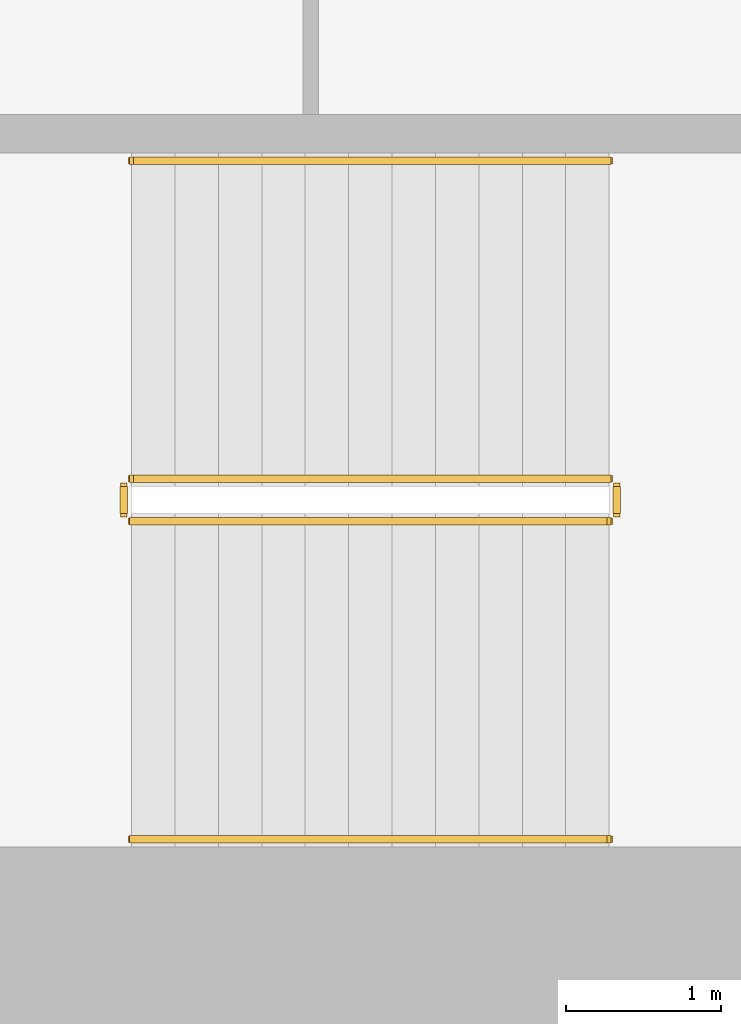
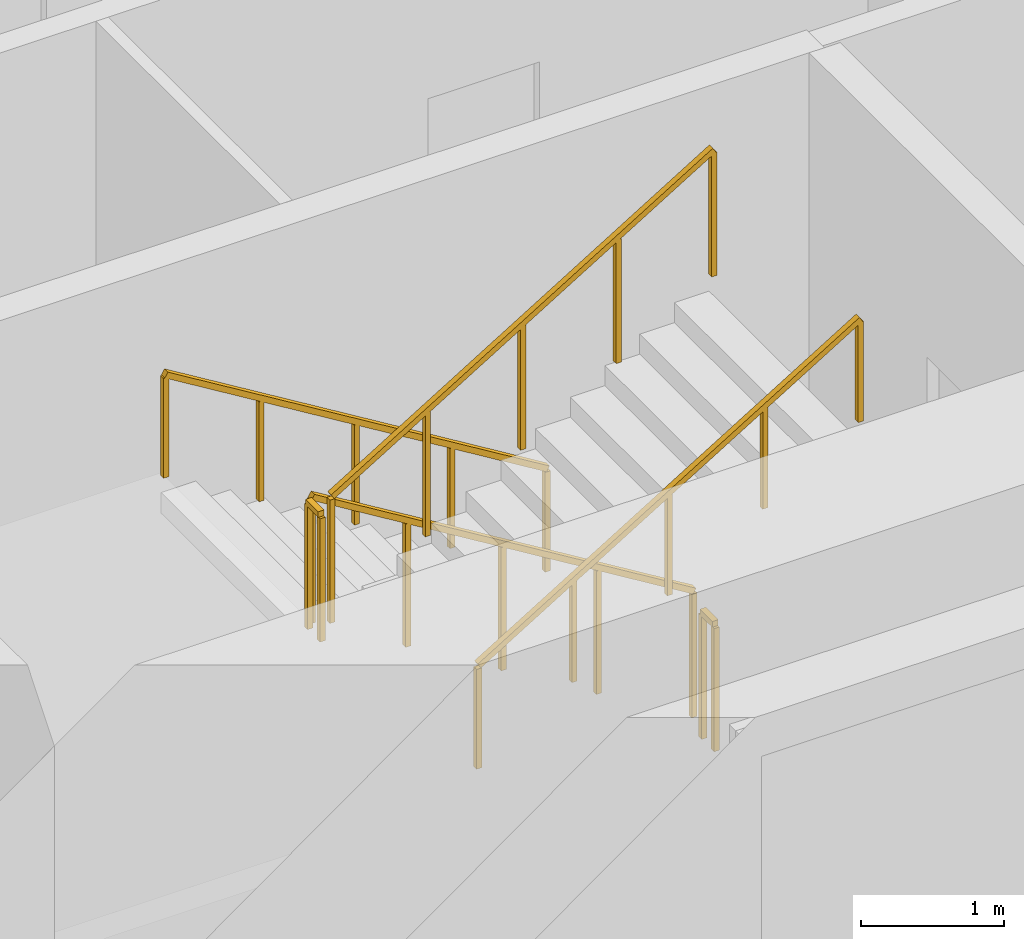
# One storey, part 11 of 16: 6 railings.
"""IFC4 building model written with IfcOpenShell, lengths in metres."""

from ifc_helpers import new_model, si_unit, direction, frame, origin, origin_2d, place, context, subcontext, project, spatial, rectangle, extrude, material, type_object, element, save


model = new_model("IFC4")

# Units and contexts
model_context = context("Model", 3, precision=1e-05, world=origin(), true_north=direction((0.0, 1.0)))
body_context = subcontext(model_context, "Body", "Model", "MODEL_VIEW")
ifc_project = project(units=[si_unit("LENGTHUNIT", "METRE"), si_unit("AREAUNIT", "SQUARE_METRE"), si_unit("VOLUMEUNIT", "CUBIC_METRE"), si_unit("PLANEANGLEUNIT", "RADIAN"), si_unit("MASSUNIT", "GRAM", prefix="KILO")], contexts=[model_context])

# Site, building, storey
site_placement = place(None, origin())
site = spatial("IfcSite", under=ifc_project, at=site_placement, CompositionType="ELEMENT")
building_placement = place(site_placement, origin())
building = spatial("IfcBuilding", under=site, at=building_placement, Name="Cypress Arch Tower", CompositionType="ELEMENT")
storey_placement = place(building_placement, frame((0.0, 0.0, 230.199951171875)))
storey = spatial("IfcBuildingStorey", under=building, at=storey_placement, Name="L51", CompositionType="ELEMENT", Elevation=230.199951171875)

# Railings
ifc_material_1 = material(Name="Black powder-coated steel square bar 48 mm", Category="steel")
railing_type_1 = type_object("IfcRailingType", Name="Stair handrail HR1", PredefinedType="HANDRAIL", material=ifc_material_1)
railing_1_placement = place(storey_placement, frame((-22.27490234375, -10.375, 0.1708984375)))
element("IfcRailing", 1, at=railing_1_placement, inside=storey, type_object=railing_type_1, Name="L51 A stair handrail 1", PredefinedType="HANDRAIL", context=body_context, shape_type="SweptSolid", body=[
    extrude(rectangle(XDim=0.048095703125, YDim=0.048095703125, at=origin_2d()), frame((0.0, 0.0, 0.8759765625), z_axis=(-0.853666305674, 0.0, 0.52082035152), x_axis=(0.0, -1.0, 0.0)), (0.0, 0.0, 1.0), 3.608154296875),
    extrude(rectangle(XDim=0.0419921875, YDim=0.0419921875, at=origin_2d()), origin(), (0.0, 0.0, 1.0), 0.851806640625),
    extrude(rectangle(XDim=0.0419921875, YDim=0.0419921875, at=origin_2d()), frame((-0.77001953125, 0.0, 0.4697265625)), (0.0, 0.0, 1.0), 0.851806640625),
    extrude(rectangle(XDim=0.0419921875, YDim=0.0419921875, at=origin_2d()), frame((-1.5400390625, 0.0, 0.939453125)), (0.0, 0.0, 1.0), 0.851806640625),
    extrude(rectangle(XDim=0.0419921875, YDim=0.0419921875, at=origin_2d()), frame((-2.31005859375, 0.0, 1.409423828125)), (0.0, 0.0, 1.0), 0.851806640625),
    extrude(rectangle(XDim=0.0419921875, YDim=0.0419921875, at=origin_2d()), frame((-3.080078125, 0.0, 1.879150390625)), (0.0, 0.0, 1.0), 0.851806640625),
])
railing_2_placement = place(storey_placement, frame((-25.35498046875, -14.75, 2.220947265625)))
element("IfcRailing", 2, at=railing_2_placement, inside=storey, type_object=railing_type_1, Name="L51 A stair handrail 2", PredefinedType="HANDRAIL", context=body_context, shape_type="SweptSolid", body=[
    extrude(rectangle(XDim=0.048095703125, YDim=0.048095703125, at=origin_2d()), frame((0.0, 0.0, 0.8759765625), z_axis=(0.853666305674, 0.0, 0.52082035152), x_axis=(0.0, 1.0, 0.0)), (0.0, 0.0, 1.0), 3.608154296875),
    extrude(rectangle(XDim=0.0419921875, YDim=0.0419921875, at=origin_2d()), origin(), (0.0, 0.0, 1.0), 0.851806640625),
    extrude(rectangle(XDim=0.0419921875, YDim=0.0419921875, at=origin_2d()), frame((0.77001953125, 0.0, 0.4697265625)), (0.0, 0.0, 1.0), 0.851806640625),
    extrude(rectangle(XDim=0.0419921875, YDim=0.0419921875, at=origin_2d()), frame((1.5400390625, 0.0, 0.939453125)), (0.0, 0.0, 1.0), 0.851806640625),
    extrude(rectangle(XDim=0.0419921875, YDim=0.0419921875, at=origin_2d()), frame((2.31005859375, 0.0, 1.409423828125)), (0.0, 0.0, 1.0), 0.851806640625),
    extrude(rectangle(XDim=0.0419921875, YDim=0.0419921875, at=origin_2d()), frame((3.080078125, 0.0, 1.879150390625)), (0.0, 0.0, 1.0), 0.851806640625),
])
ifc_material_2 = material(Name="Black powder-coated steel balusters", Category="steel")
railing_type_2 = type_object("IfcRailingType", Name="Stair well guard G1", PredefinedType="GUARDRAIL", material=ifc_material_2)
railing_3_placement = place(storey_placement, frame((-22.27490234375, -12.425048828125, 0.1708984375)))
element("IfcRailing", 3, at=railing_3_placement, inside=storey, type_object=railing_type_2, Name="L51 A stair guard 1", PredefinedType="GUARDRAIL", context=body_context, shape_type="SweptSolid", body=[
    extrude(rectangle(XDim=0.048095703125, YDim=0.048095703125, at=origin_2d()), frame((0.0, 0.0, 1.076171875), z_axis=(-0.853666305674, 0.0, 0.52082035152), x_axis=(0.0, -1.0, 0.0)), (0.0, 0.0, 1.0), 3.608154296875),
    extrude(rectangle(XDim=0.0419921875, YDim=0.0419921875, at=origin_2d()), origin(), (0.0, 0.0, 1.0), 1.052001953125),
    extrude(rectangle(XDim=0.0419921875, YDim=0.0419921875, at=origin_2d()), frame((-0.77001953125, 0.0, 0.4697265625)), (0.0, 0.0, 1.0), 1.052001953125),
    extrude(rectangle(XDim=0.0419921875, YDim=0.0419921875, at=origin_2d()), frame((-1.5400390625, 0.0, 0.939453125)), (0.0, 0.0, 1.0), 1.052001953125),
    extrude(rectangle(XDim=0.0419921875, YDim=0.0419921875, at=origin_2d()), frame((-2.31005859375, 0.0, 1.409423828125)), (0.0, 0.0, 1.0), 1.052001953125),
    extrude(rectangle(XDim=0.0419921875, YDim=0.0419921875, at=origin_2d()), frame((-3.080078125, 0.0, 1.879150390625)), (0.0, 0.0, 1.0), 1.052001953125),
])
railing_4_placement = place(storey_placement, frame((-25.405029296875, -12.47509765625, 2.050048828125)))
element("IfcRailing", 4, at=railing_4_placement, inside=storey, type_object=railing_type_2, Name="L51 A stair guard 2", PredefinedType="GUARDRAIL", context=body_context, shape_type="SweptSolid", body=[
    extrude(rectangle(XDim=0.048095703125, YDim=0.048095703125, at=origin_2d()), frame((0.0, 0.0, 1.076171875), z_axis=(0.0, -1.0, 0.0), x_axis=(1.0, 0.0, 0.0)), (0.0, 0.0, 1.0), 0.1748046875),
    extrude(rectangle(XDim=0.0419921875, YDim=0.0419921875, at=origin_2d()), origin(), (0.0, 0.0, 1.0), 1.052001953125),
    extrude(rectangle(XDim=0.0419921875, YDim=0.0419921875, at=origin_2d()), frame((0.0, -0.1748046875, 0.0)), (0.0, 0.0, 1.0), 1.052001953125),
])
railing_5_placement = place(storey_placement, frame((-25.35498046875, -12.699951171875, 2.220947265625)))
element("IfcRailing", 5, at=railing_5_placement, inside=storey, type_object=railing_type_2, Name="L51 A stair guard 3", PredefinedType="GUARDRAIL", context=body_context, shape_type="SweptSolid", body=[
    extrude(rectangle(XDim=0.048095703125, YDim=0.048095703125, at=origin_2d()), frame((0.0, 0.0, 1.076171875), z_axis=(0.853666305674, 0.0, 0.52082035152), x_axis=(0.0, 1.0, 0.0)), (0.0, 0.0, 1.0), 3.608154296875),
    extrude(rectangle(XDim=0.0419921875, YDim=0.0419921875, at=origin_2d()), origin(), (0.0, 0.0, 1.0), 1.052001953125),
    extrude(rectangle(XDim=0.0419921875, YDim=0.0419921875, at=origin_2d()), frame((0.77001953125, 0.0, 0.4697265625)), (0.0, 0.0, 1.0), 1.052001953125),
    extrude(rectangle(XDim=0.0419921875, YDim=0.0419921875, at=origin_2d()), frame((1.5400390625, 0.0, 0.939453125)), (0.0, 0.0, 1.0), 1.052001953125),
    extrude(rectangle(XDim=0.0419921875, YDim=0.0419921875, at=origin_2d()), frame((2.31005859375, 0.0, 1.409423828125)), (0.0, 0.0, 1.0), 1.052001953125),
    extrude(rectangle(XDim=0.0419921875, YDim=0.0419921875, at=origin_2d()), frame((3.080078125, 0.0, 1.879150390625)), (0.0, 0.0, 1.0), 1.052001953125),
])
railing_6_placement = place(storey_placement, frame((-22.22509765625, -12.47509765625, 0.0)))
element("IfcRailing", 6, at=railing_6_placement, inside=storey, type_object=railing_type_2, Name="L51 A stair guard 4", PredefinedType="GUARDRAIL", context=body_context, shape_type="SweptSolid", body=[
    extrude(rectangle(XDim=0.048095703125, YDim=0.048095703125, at=origin_2d()), frame((0.0, 0.0, 1.076171875), z_axis=(0.0, -1.0, 0.0), x_axis=(1.0, 0.0, 0.0)), (0.0, 0.0, 1.0), 0.1748046875),
    extrude(rectangle(XDim=0.0419921875, YDim=0.0419921875, at=origin_2d()), origin(), (0.0, 0.0, 1.0), 1.052001953125),
    extrude(rectangle(XDim=0.0419921875, YDim=0.0419921875, at=origin_2d()), frame((0.0, -0.1748046875, 0.0)), (0.0, 0.0, 1.0), 1.052001953125),
])

save(model, "model.ifc")
